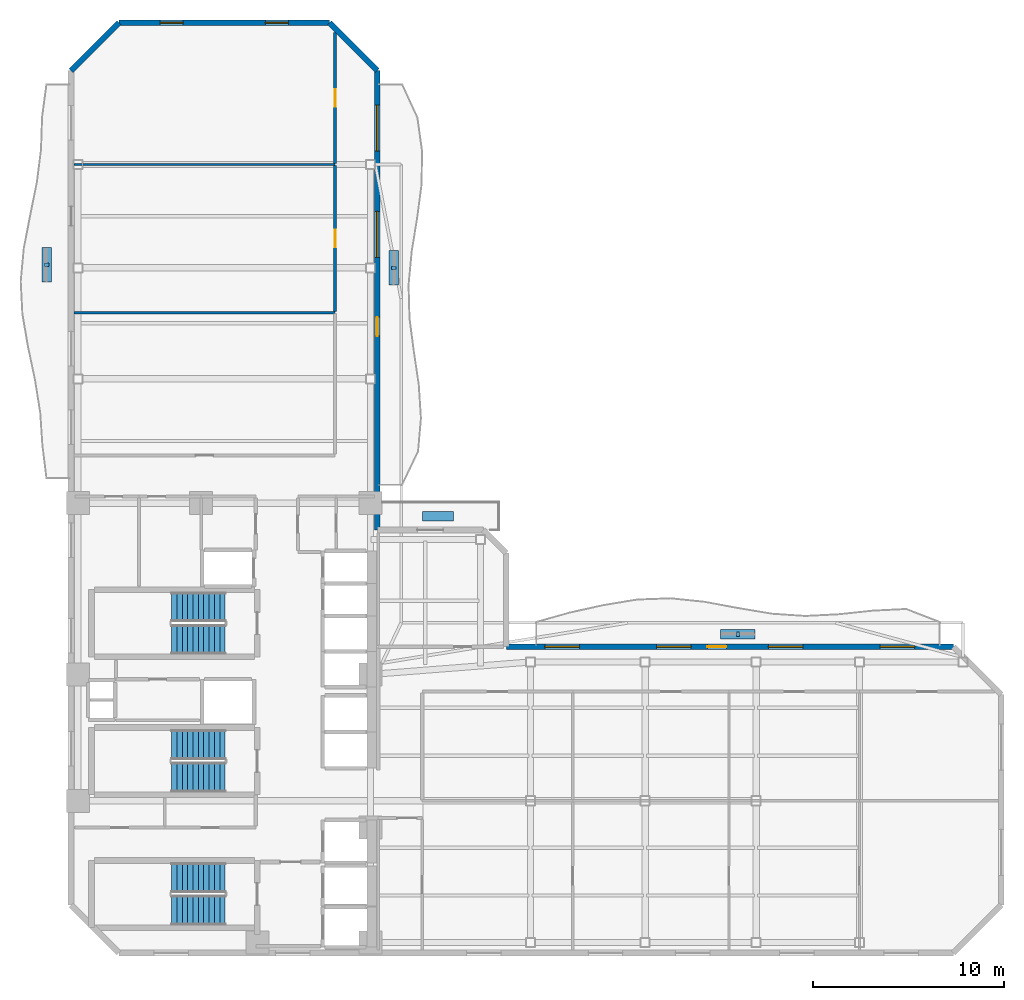
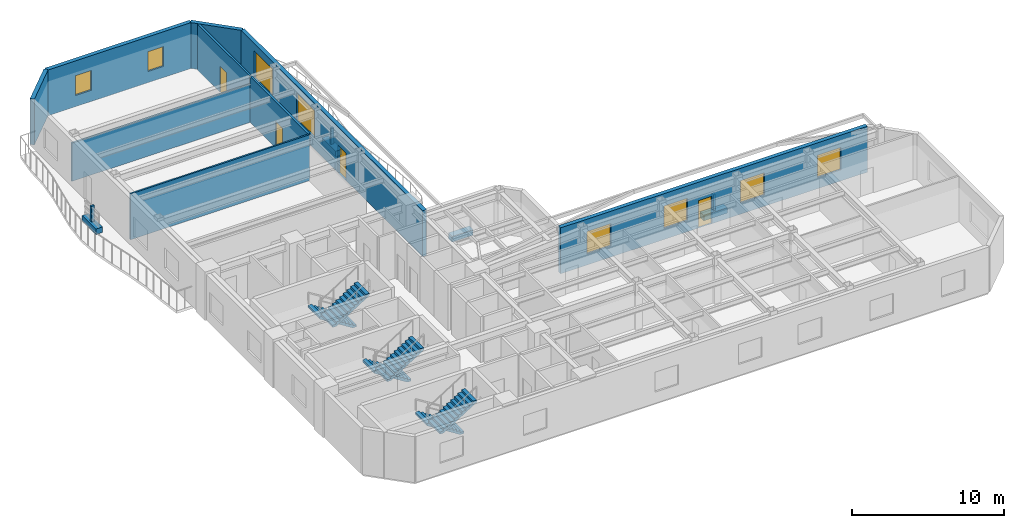
# One storey, part 6 of 10: 9 walls, 8 windows, 7 discrete accessories, 6 stair flights, 4 doors, 12 openings, 3 elements without a shape of their own.
"""IFC4 building model written with IfcOpenShell, lengths in metres."""

from ifc_helpers import new_model, si_unit, direction, frame, frame_2d, origin, origin_2d, place, context, subcontext, project, spatial, polyline, rectangle, outline, extrude, material, layer, layer_set, type_object, element, fill, aggregate, save


model = new_model("IFC4")

# Units and contexts
model_context = context("Model", 3, precision=1e-05, world=origin(), true_north=direction((0.0, 1.0)))
body_context = subcontext(model_context, "Body", "Model", "MODEL_VIEW")
ifc_project = project(units=[si_unit("LENGTHUNIT", "METRE"), si_unit("AREAUNIT", "SQUARE_METRE"), si_unit("VOLUMEUNIT", "CUBIC_METRE"), si_unit("PLANEANGLEUNIT", "RADIAN"), si_unit("MASSUNIT", "GRAM", prefix="KILO")], contexts=[model_context])

# Site, building, storey
site_placement = place(None, origin())
site = spatial("IfcSite", under=ifc_project, at=site_placement, CompositionType="ELEMENT")
building_placement = place(site_placement, origin())
building = spatial("IfcBuilding", under=site, at=building_placement, Name="Mawjaban Terraces University", CompositionType="ELEMENT")
storey_placement = place(building_placement, frame((0.0, 0.0, 158.0)))
storey = spatial("IfcBuildingStorey", under=building, at=storey_placement, Name="L38", CompositionType="ELEMENT", Elevation=158.0)

# Wall, opening, door
ifc_material_1 = material(Name="Fire-rated gypsum board on steel stud", Category="steel")
ifc_layer_1 = layer(ifc_material_1, 0.159912109375)
ifc_layer_set_1 = layer_set([ifc_layer_1], Name="Fire-rated gypsum board on steel stud")
wall_type_1 = type_object("IfcWallType", Name="CorridorPartition_160", PredefinedType="PARTITIONING", material=ifc_layer_set_1)
wall_1_placement = place(storey_placement, frame((35.800048828125, 41.14306640625, 0.0), z_axis=(0.0, 0.0, 1.0), x_axis=(0.0, -1.0, 0.0)))
wall_1 = element("IfcWall", 1, at=wall_1_placement, inside=storey, type_object=wall_type_1, Name="L38 Inner Terrace Gallery Corridor North Partition 35", PredefinedType="PARTITIONING", context=body_context, shape_type="SweptSolid", body=[
    extrude(rectangle(XDim=7.6259765625, YDim=0.159912109375, at=frame_2d((3.81298828125, 0.0))), origin(), (0.0, 0.0, 1.0), 3.68994140625),
])
opening_1_placement = place(wall_1_placement, frame((3.363037109375, 0.0, 0.0)))
opening_1 = element("IfcOpeningElement", 2, at=opening_1_placement, cuts=wall_1, Name="Opening ID-090", PredefinedType="OPENING", context=body_context, shape_type="SweptSolid", body=[
    extrude(rectangle(XDim=0.89990234375, YDim=2.10009765625, at=frame_2d((0.449951171875, 1.050048828125))), frame((0.0, 0.08984375, 0.0), z_axis=(0.0, -1.0, 0.0), x_axis=(1.0, 0.0, 0.0)), (0.0, 0.0, 1.0), 0.179931640625),
])
ifc_material_2 = material(Name="Powder-coated steel frame and solid acoustic timber leaf", Category="steel")
door_type_1 = type_object("IfcDoorType", Name="OfficeDoor_900x2100", OperationType="NOTDEFINED", PredefinedType="DOOR", material=ifc_material_2)
door_1_placement = place(opening_1_placement, origin())
door_1 = element("IfcDoor", 3, at=door_1_placement, inside=storey, type_object=door_type_1, Name="L38 Student Tea Pantry 11 Door", OperationType="SINGLE_SWING_LEFT", OverallHeight=2.10009765625, OverallWidth=0.89990234375, PredefinedType="DOOR", context=body_context, shape_type="SweptSolid", body=[
    extrude(rectangle(XDim=0.89990234375, YDim=2.10009765625, at=frame_2d((0.449951171875, 1.050048828125))), frame((0.0, 0.02490234375, 0.0), z_axis=(0.0, -1.0, 0.0), x_axis=(1.0, 0.0, 0.0)), (0.0, 0.0, 1.0), 0.050048828125),
])
fill(opening_1, door_1)

wall_2_placement = place(storey_placement, frame((35.800048828125, 48.094970703125, 0.0), z_axis=(0.0, 0.0, 1.0), x_axis=(0.0, -1.0, 0.0)))
wall_2 = element("IfcWall", 4, at=wall_2_placement, inside=storey, type_object=wall_type_1, Name="L38 Inner Terrace Gallery Corridor North Partition 36", PredefinedType="PARTITIONING", context=body_context, shape_type="SweptSolid", body=[
    extrude(rectangle(XDim=6.8369140625, YDim=0.159912109375, at=frame_2d((3.41845703125, 0.0))), origin(), (0.0, 0.0, 1.0), 3.68994140625),
])
opening_2_placement = place(wall_2_placement, frame((2.968017578125, 0.0, 0.0)))
opening_2 = element("IfcOpeningElement", 5, at=opening_2_placement, cuts=wall_2, Name="Opening ID-090", PredefinedType="OPENING", context=body_context, shape_type="SweptSolid", body=[
    extrude(rectangle(XDim=0.89990234375, YDim=2.10009765625, at=frame_2d((0.449951171875, 1.050048828125))), frame((0.0, 0.08984375, 0.0), z_axis=(0.0, -1.0, 0.0), x_axis=(1.0, 0.0, 0.0)), (0.0, 0.0, 1.0), 0.179931640625),
])
door_2_placement = place(opening_2_placement, origin())
door_2 = element("IfcDoor", 6, at=door_2_placement, inside=storey, type_object=door_type_1, Name="L38 Quiet Reading Room 12 Door", OperationType="SINGLE_SWING_RIGHT", OverallHeight=2.10009765625, OverallWidth=0.89990234375, PredefinedType="DOOR", context=body_context, shape_type="SweptSolid", body=[
    extrude(rectangle(XDim=0.89990234375, YDim=2.10009765625, at=frame_2d((0.449951171875, 1.050048828125))), frame((0.0, 0.02490234375, 0.0), z_axis=(0.0, -1.0, 0.0), x_axis=(1.0, 0.0, 0.0)), (0.0, 0.0, 1.0), 0.050048828125),
])
fill(opening_2, door_2)

# Wall, openings, door, windows
ifc_material_3 = material(Name="Insulated terracotta rainscreen on concrete backup C40/50", Category="masonry")
ifc_layer_2 = layer(ifc_material_3, 0.300048828125)
ifc_layer_set_2 = layer_set([ifc_layer_2], Name="Insulated terracotta rainscreen on concrete backup C40/50")
wall_type_2 = type_object("IfcWallType", Name="ExtTerracottaWall_300", PredefinedType="SOLIDWALL", material=ifc_layer_set_2)
wall_3_placement = place(storey_placement, frame((68.10009765625, 16.0, 0.0), z_axis=(0.0, 0.0, 1.0), x_axis=(-1.0, 0.0, 0.0)))
wall_3 = element("IfcWall", 7, at=wall_3_placement, inside=storey, type_object=wall_type_2, Name="L38 Exterior Terracotta Wall 5", PredefinedType="SOLIDWALL", context=body_context, shape_type="SweptSolid", body=[
    extrude(rectangle(XDim=23.359130859375, YDim=0.300048828125, at=frame_2d((11.6796875, 0.0))), origin(), (0.0, 0.0, 1.0), 3.68994140625),
])
opening_3_placement = place(wall_3_placement, frame((11.85302734375, 0.0, 0.0)))
opening_3 = element("IfcOpeningElement", 8, at=opening_3_placement, cuts=wall_3, Name="Opening BD-100", PredefinedType="OPENING", context=body_context, shape_type="SweptSolid", body=[
    extrude(rectangle(XDim=1.0, YDim=2.199951171875, at=frame_2d((0.5, 1.10009765625))), frame((0.0, 0.159912109375, 0.0), z_axis=(0.0, -1.0, 0.0), x_axis=(1.0, 0.0, 0.0)), (0.0, 0.0, 1.0), 0.320068359375),
])
opening_4_placement = place(wall_3_placement, frame((2.02001953125, 0.0, 0.89990234375)))
opening_4 = element("IfcOpeningElement", 9, at=opening_4_placement, cuts=wall_3, Name="Opening W-07", PredefinedType="OPENING", context=body_context, shape_type="SweptSolid", body=[
    extrude(rectangle(XDim=1.800048828125, YDim=1.800048828125, at=frame_2d((0.89990234375, 0.89990234375))), frame((0.0, 0.159912109375, 0.0), z_axis=(0.0, -1.0, 0.0), x_axis=(1.0, 0.0, 0.0)), (0.0, 0.0, 1.0), 0.320068359375),
])
opening_5_placement = place(wall_3_placement, frame((7.860107421875, 0.0, 0.89990234375)))
opening_5 = element("IfcOpeningElement", 10, at=opening_5_placement, cuts=wall_3, Name="Opening W-07", PredefinedType="OPENING", context=body_context, shape_type="SweptSolid", body=[
    extrude(rectangle(XDim=1.800048828125, YDim=1.800048828125, at=frame_2d((0.89990234375, 0.89990234375))), frame((0.0, 0.159912109375, 0.0), z_axis=(0.0, -1.0, 0.0), x_axis=(1.0, 0.0, 0.0)), (0.0, 0.0, 1.0), 0.320068359375),
])
opening_6_placement = place(wall_3_placement, frame((13.698974609375, 0.0, 0.89990234375)))
opening_6 = element("IfcOpeningElement", 11, at=opening_6_placement, cuts=wall_3, Name="Opening W-07", PredefinedType="OPENING", context=body_context, shape_type="SweptSolid", body=[
    extrude(rectangle(XDim=1.800048828125, YDim=1.800048828125, at=frame_2d((0.89990234375, 0.89990234375))), frame((0.0, 0.159912109375, 0.0), z_axis=(0.0, -1.0, 0.0), x_axis=(1.0, 0.0, 0.0)), (0.0, 0.0, 1.0), 0.320068359375),
])
opening_7_placement = place(wall_3_placement, frame((19.5390625, 0.0, 0.89990234375)))
opening_7 = element("IfcOpeningElement", 12, at=opening_7_placement, cuts=wall_3, Name="Opening W-07", PredefinedType="OPENING", context=body_context, shape_type="SweptSolid", body=[
    extrude(rectangle(XDim=1.800048828125, YDim=1.800048828125, at=frame_2d((0.89990234375, 0.89990234375))), frame((0.0, 0.159912109375, 0.0), z_axis=(0.0, -1.0, 0.0), x_axis=(1.0, 0.0, 0.0)), (0.0, 0.0, 1.0), 0.320068359375),
])
ifc_material_4 = material(Name="Thermally broken anodised aluminium and laminated safety glass", Category="aluminium")
door_type_2 = type_object("IfcDoorType", Name="BalconyGlazedDoor_1000x2200", OperationType="NOTDEFINED", PredefinedType="DOOR", material=ifc_material_4)
door_3_placement = place(opening_3_placement, origin())
door_3 = element("IfcDoor", 13, at=door_3_placement, inside=storey, type_object=door_type_2, Name="L38 Balcony Access Door inner_north", OperationType="SINGLE_SWING_LEFT", OverallHeight=2.199951171875, OverallWidth=1.0, PredefinedType="DOOR", context=body_context, shape_type="SweptSolid", body=[
    extrude(rectangle(XDim=1.0, YDim=2.199951171875, at=frame_2d((0.5, 1.10009765625))), frame((0.0, 0.02490234375, 0.0), z_axis=(0.0, -1.0, 0.0), x_axis=(1.0, 0.0, 0.0)), (0.0, 0.0, 1.0), 0.050048828125),
])
fill(opening_3, door_3)
ifc_material_5 = material(Name="Low-E solar-control double glazing in thermally broken aluminium frame", Category="aluminium")
window_type_1 = type_object("IfcWindowType", Name="Win_1800x1800", PartitioningType="SINGLE_PANEL", PredefinedType="WINDOW", material=ifc_material_5)
window_1_placement = place(opening_4_placement, origin())
window_1 = element("IfcWindow", 14, at=window_1_placement, inside=storey, type_object=window_type_1, Name="L38 Facade Window 5.1", OverallHeight=1.800048828125, OverallWidth=1.800048828125, PartitioningType="SINGLE_PANEL", PredefinedType="WINDOW", context=body_context, shape_type="SweptSolid", body=[
    extrude(rectangle(XDim=1.800048828125, YDim=1.800048828125, at=frame_2d((0.89990234375, 0.89990234375))), frame((0.0, 0.030029296875, 0.0), z_axis=(0.0, -1.0, 0.0), x_axis=(1.0, 0.0, 0.0)), (0.0, 0.0, 1.0), 0.06005859375),
])
fill(opening_4, window_1)
window_2_placement = place(opening_5_placement, origin())
window_2 = element("IfcWindow", 15, at=window_2_placement, inside=storey, type_object=window_type_1, Name="L38 Facade Window 5.2", OverallHeight=1.800048828125, OverallWidth=1.800048828125, PartitioningType="SINGLE_PANEL", PredefinedType="WINDOW", context=body_context, shape_type="SweptSolid", body=[
    extrude(rectangle(XDim=1.800048828125, YDim=1.800048828125, at=frame_2d((0.89990234375, 0.89990234375))), frame((0.0, 0.030029296875, 0.0), z_axis=(0.0, -1.0, 0.0), x_axis=(1.0, 0.0, 0.0)), (0.0, 0.0, 1.0), 0.06005859375),
])
fill(opening_5, window_2)
window_3_placement = place(opening_6_placement, origin())
window_3 = element("IfcWindow", 16, at=window_3_placement, inside=storey, type_object=window_type_1, Name="L38 Facade Window 5.3", OverallHeight=1.800048828125, OverallWidth=1.800048828125, PartitioningType="SINGLE_PANEL", PredefinedType="WINDOW", context=body_context, shape_type="SweptSolid", body=[
    extrude(rectangle(XDim=1.800048828125, YDim=1.800048828125, at=frame_2d((0.89990234375, 0.89990234375))), frame((0.0, 0.030029296875, 0.0), z_axis=(0.0, -1.0, 0.0), x_axis=(1.0, 0.0, 0.0)), (0.0, 0.0, 1.0), 0.06005859375),
])
fill(opening_6, window_3)
window_4_placement = place(opening_7_placement, origin())
window_4 = element("IfcWindow", 17, at=window_4_placement, inside=storey, type_object=window_type_1, Name="L38 Facade Window 5.4", OverallHeight=1.800048828125, OverallWidth=1.800048828125, PartitioningType="SINGLE_PANEL", PredefinedType="WINDOW", context=body_context, shape_type="SweptSolid", body=[
    extrude(rectangle(XDim=1.800048828125, YDim=1.800048828125, at=frame_2d((0.89990234375, 0.89990234375))), frame((0.0, 0.030029296875, 0.0), z_axis=(0.0, -1.0, 0.0), x_axis=(1.0, 0.0, 0.0)), (0.0, 0.0, 1.0), 0.06005859375),
])
fill(opening_7, window_4)

wall_4_placement = place(storey_placement, frame((38.0, 22.10009765625, 0.0), z_axis=(0.0, 0.0, 1.0), x_axis=(0.0, 1.0, 0.0)))
wall_4 = element("IfcWall", 18, at=wall_4_placement, inside=storey, type_object=wall_type_2, Name="L38 Exterior Terracotta Wall 9", PredefinedType="SOLIDWALL", context=body_context, shape_type="SweptSolid", body=[
    extrude(rectangle(XDim=24.0, YDim=0.300048828125, at=frame_2d((12.0, 0.0))), origin(), (0.0, 0.0, 1.0), 3.68994140625),
])
opening_8_placement = place(wall_4_placement, frame((10.125, 0.0, 0.0)))
opening_8 = element("IfcOpeningElement", 19, at=opening_8_placement, cuts=wall_4, Name="Opening BD-100", PredefinedType="OPENING", context=body_context, shape_type="SweptSolid", body=[
    extrude(rectangle(XDim=1.0, YDim=2.199951171875, at=frame_2d((0.5, 1.10009765625))), frame((0.0, 0.159912109375, 0.0), z_axis=(0.0, -1.0, 0.0), x_axis=(1.0, 0.0, 0.0)), (0.0, 0.0, 1.0), 0.320068359375),
])
opening_9_placement = place(wall_4_placement, frame((14.25, 0.0, 0.89990234375)))
opening_9 = element("IfcOpeningElement", 20, at=opening_9_placement, cuts=wall_4, Name="Opening W-11", PredefinedType="OPENING", context=body_context, shape_type="SweptSolid", body=[
    extrude(rectangle(XDim=2.39990234375, YDim=2.199951171875, at=frame_2d((1.199951171875, 1.10009765625))), frame((0.0, 0.159912109375, 0.0), z_axis=(0.0, -1.0, 0.0), x_axis=(1.0, 0.0, 0.0)), (0.0, 0.0, 1.0), 0.320068359375),
])
opening_10_placement = place(wall_4_placement, frame((19.800048828125, 0.0, 0.89990234375)))
opening_10 = element("IfcOpeningElement", 21, at=opening_10_placement, cuts=wall_4, Name="Opening W-11", PredefinedType="OPENING", context=body_context, shape_type="SweptSolid", body=[
    extrude(rectangle(XDim=2.39990234375, YDim=2.199951171875, at=frame_2d((1.199951171875, 1.10009765625))), frame((0.0, 0.159912109375, 0.0), z_axis=(0.0, -1.0, 0.0), x_axis=(1.0, 0.0, 0.0)), (0.0, 0.0, 1.0), 0.320068359375),
])
door_4_placement = place(opening_8_placement, origin())
door_4 = element("IfcDoor", 22, at=door_4_placement, inside=storey, type_object=door_type_2, Name="L38 Balcony Access Door inner_east", OperationType="SINGLE_SWING_LEFT", OverallHeight=2.199951171875, OverallWidth=1.0, PredefinedType="DOOR", context=body_context, shape_type="SweptSolid", body=[
    extrude(rectangle(XDim=1.0, YDim=2.199951171875, at=frame_2d((0.5, 1.10009765625))), frame((0.0, 0.02490234375, 0.0), z_axis=(0.0, -1.0, 0.0), x_axis=(1.0, 0.0, 0.0)), (0.0, 0.0, 1.0), 0.050048828125),
])
fill(opening_8, door_4)
window_type_2 = type_object("IfcWindowType", Name="Win_2400x2200", PartitioningType="SINGLE_PANEL", PredefinedType="WINDOW", material=ifc_material_5)
window_5_placement = place(opening_9_placement, origin())
window_5 = element("IfcWindow", 23, at=window_5_placement, inside=storey, type_object=window_type_2, Name="L38 Facade Window 9.3", OverallHeight=2.199951171875, OverallWidth=2.39990234375, PartitioningType="SINGLE_PANEL", PredefinedType="WINDOW", context=body_context, shape_type="SweptSolid", body=[
    extrude(rectangle(XDim=2.39990234375, YDim=2.199951171875, at=frame_2d((1.199951171875, 1.10009765625))), frame((0.0, 0.030029296875, 0.0), z_axis=(0.0, -1.0, 0.0), x_axis=(1.0, 0.0, 0.0)), (0.0, 0.0, 1.0), 0.06005859375),
])
fill(opening_9, window_5)
window_6_placement = place(opening_10_placement, origin())
window_6 = element("IfcWindow", 24, at=window_6_placement, inside=storey, type_object=window_type_2, Name="L38 Facade Window 9.4", OverallHeight=2.199951171875, OverallWidth=2.39990234375, PartitioningType="SINGLE_PANEL", PredefinedType="WINDOW", context=body_context, shape_type="SweptSolid", body=[
    extrude(rectangle(XDim=2.39990234375, YDim=2.199951171875, at=frame_2d((1.199951171875, 1.10009765625))), frame((0.0, 0.030029296875, 0.0), z_axis=(0.0, -1.0, 0.0), x_axis=(1.0, 0.0, 0.0)), (0.0, 0.0, 1.0), 0.06005859375),
])
fill(opening_10, window_6)

# Wall
wall_5_placement = place(storey_placement, frame((38.0, 46.10009765625, 0.0), z_axis=(0.0, 0.0, 1.0), x_axis=(-0.707106781187, 0.707106781187, 0.0)))
element("IfcWall", 25, at=wall_5_placement, inside=storey, type_object=wall_type_2, Name="L38 Exterior Terracotta Wall 10", PredefinedType="SOLIDWALL", context=body_context, shape_type="SweptSolid", body=[
    extrude(rectangle(XDim=3.53564453125, YDim=0.300048828125, at=frame_2d((1.767822265625, 0.0))), origin(), (0.0, 0.0, 1.0), 3.68994140625),
])

# Wall, openings, windows
wall_6_placement = place(storey_placement, frame((35.5, 48.60009765625, 0.0), z_axis=(0.0, 0.0, 1.0), x_axis=(-1.0, 0.0, 0.0)))
wall_6 = element("IfcWall", 26, at=wall_6_placement, inside=storey, type_object=wall_type_2, Name="L38 Exterior Terracotta Wall 11", PredefinedType="SOLIDWALL", context=body_context, shape_type="SweptSolid", body=[
    extrude(rectangle(XDim=11.0, YDim=0.300048828125, at=frame_2d((5.5, 0.0))), origin(), (0.0, 0.0, 1.0), 3.68994140625),
])
opening_11_placement = place(wall_6_placement, frame((2.14990234375, 0.0, 0.89990234375)))
opening_11 = element("IfcOpeningElement", 27, at=opening_11_placement, cuts=wall_6, Name="Opening W-01", PredefinedType="OPENING", context=body_context, shape_type="SweptSolid", body=[
    extrude(rectangle(XDim=1.199951171875, YDim=1.60009765625, at=frame_2d((0.60009765625, 0.800048828125))), frame((0.0, 0.159912109375, 0.0), z_axis=(0.0, -1.0, 0.0), x_axis=(1.0, 0.0, 0.0)), (0.0, 0.0, 1.0), 0.320068359375),
])
opening_12_placement = place(wall_6_placement, frame((7.64990234375, 0.0, 0.89990234375)))
opening_12 = element("IfcOpeningElement", 28, at=opening_12_placement, cuts=wall_6, Name="Opening W-01", PredefinedType="OPENING", context=body_context, shape_type="SweptSolid", body=[
    extrude(rectangle(XDim=1.199951171875, YDim=1.60009765625, at=frame_2d((0.60009765625, 0.800048828125))), frame((0.0, 0.159912109375, 0.0), z_axis=(0.0, -1.0, 0.0), x_axis=(1.0, 0.0, 0.0)), (0.0, 0.0, 1.0), 0.320068359375),
])
window_type_3 = type_object("IfcWindowType", Name="Win_1200x1600", PartitioningType="SINGLE_PANEL", PredefinedType="WINDOW", material=ifc_material_5)
window_7_placement = place(opening_11_placement, origin())
window_7 = element("IfcWindow", 29, at=window_7_placement, inside=storey, type_object=window_type_3, Name="L38 Facade Window 11.1", OverallHeight=1.60009765625, OverallWidth=1.199951171875, PartitioningType="SINGLE_PANEL", PredefinedType="WINDOW", context=body_context, shape_type="SweptSolid", body=[
    extrude(rectangle(XDim=1.199951171875, YDim=1.60009765625, at=frame_2d((0.60009765625, 0.800048828125))), frame((0.0, 0.030029296875, 0.0), z_axis=(0.0, -1.0, 0.0), x_axis=(1.0, 0.0, 0.0)), (0.0, 0.0, 1.0), 0.06005859375),
])
fill(opening_11, window_7)
window_8_placement = place(opening_12_placement, origin())
window_8 = element("IfcWindow", 30, at=window_8_placement, inside=storey, type_object=window_type_3, Name="L38 Facade Window 11.2", OverallHeight=1.60009765625, OverallWidth=1.199951171875, PartitioningType="SINGLE_PANEL", PredefinedType="WINDOW", context=body_context, shape_type="SweptSolid", body=[
    extrude(rectangle(XDim=1.199951171875, YDim=1.60009765625, at=frame_2d((0.60009765625, 0.800048828125))), frame((0.0, 0.030029296875, 0.0), z_axis=(0.0, -1.0, 0.0), x_axis=(1.0, 0.0, 0.0)), (0.0, 0.0, 1.0), 0.06005859375),
])
fill(opening_12, window_8)

# Walls
wall_7_placement = place(storey_placement, frame((24.5, 48.60009765625, 0.0), z_axis=(0.0, 0.0, 1.0), x_axis=(-0.707106781187, -0.707106781187, 0.0)))
element("IfcWall", 31, at=wall_7_placement, inside=storey, type_object=wall_type_2, Name="L38 Exterior Terracotta Wall 12", PredefinedType="SOLIDWALL", context=body_context, shape_type="SweptSolid", body=[
    extrude(rectangle(XDim=3.53564453125, YDim=0.300048828125, at=frame_2d((1.767822265625, 0.0))), origin(), (0.0, 0.0, 1.0), 3.68994140625),
])
ifc_material_6 = material(Name="Gypsum plasterboard on steel stud", Category="steel")
ifc_layer_3 = layer(ifc_material_6, 0.125)
ifc_layer_set_3 = layer_set([ifc_layer_3], Name="Gypsum plasterboard on steel stud")
wall_type_3 = type_object("IfcWallType", Name="OfficePartition_125", PredefinedType="PARTITIONING", material=ifc_layer_set_3)
wall_8_placement = place(storey_placement, frame((35.800048828125, 33.4599609375, 0.0), z_axis=(0.0, 0.0, 1.0), x_axis=(-1.0, 0.0, 0.0)))
element("IfcWall", 32, at=wall_8_placement, inside=storey, type_object=wall_type_3, Name="L38 Student Tea Pantry 10 Partition 12", PredefinedType="PARTITIONING", context=body_context, shape_type="SweptSolid", body=[
    extrude(rectangle(XDim=13.655029296875, YDim=0.125, at=frame_2d((6.82763671875, 0.0))), origin(), (0.0, 0.0, 1.0), 3.68994140625),
])
wall_9_placement = place(storey_placement, frame((35.800048828125, 41.199951171875, 0.0), z_axis=(0.0, 0.0, 1.0), x_axis=(-1.0, 0.0, 0.0)))
element("IfcWall", 33, at=wall_9_placement, inside=storey, type_object=wall_type_3, Name="L38 Student Tea Pantry 11 Partition 13", PredefinedType="PARTITIONING", context=body_context, shape_type="SweptSolid", body=[
    extrude(rectangle(XDim=13.655029296875, YDim=0.125, at=frame_2d((6.82763671875, 0.0))), origin(), (0.0, 0.0, 1.0), 3.073974609375),
])

# Stair, stair flights
ifc_material_7 = material(Name="Concrete C40/50", Category="concrete")
stair_type = type_object("IfcStairType", Name="Stair_Core1550_H39", PredefinedType="HALF_TURN_STAIR", material=ifc_material_7)
stair_1_placement = place(storey_placement, origin())
stair_1 = element("IfcStair", 34, at=stair_1_placement, inside=storey, type_object=stair_type, Name="L38 Core Exit Stair 1", PredefinedType="HALF_TURN_STAIR")
stair_flight_type = type_object("IfcStairFlightType", Name="Flight_Core1550_H39", PredefinedType="STRAIGHT", material=ifc_material_7)
stair_flight_1_placement = place(storey_placement, frame((30.050048828125, 3.925048828125, 0.0), z_axis=(0.0, 0.0, 1.0), x_axis=(-1.0, 0.0, 0.0)))
stair_flight_1 = element("IfcStairFlight", 35, at=stair_flight_1_placement, type_object=stair_flight_type, Name="ST-1 flight 1", NumberOfRisers=11, NumberOfTreads=10, PredefinedType="STRAIGHT", RiserHeight=0.177272727, TreadLength=0.28, context=body_context, shape_type="SweptSolid", body=[
    extrude(outline(polyline([(0.0, 0.0), (0.0, 0.17724609375), (0.280029296875, 0.17724609375), (0.280029296875, 0.3544921875), (0.56005859375, 0.3544921875), (0.56005859375, 0.53173828125), (0.840087890625, 0.53173828125), (0.840087890625, 0.708984375), (1.1201171875, 0.708984375), (1.1201171875, 0.886474609375), (1.39990234375, 0.886474609375), (1.39990234375, 1.063720703125), (1.679931640625, 1.063720703125), (1.679931640625, 1.240966796875), (1.9599609375, 1.240966796875), (1.9599609375, 1.418212890625), (2.239990234375, 1.418212890625), (2.239990234375, 1.595458984375), (2.52001953125, 1.595458984375), (2.52001953125, 1.772705078125), (2.800048828125, 1.772705078125), (2.800048828125, 1.949951171875), (2.800048828125, 1.59521484375), (0.2802734375, 0.0), (0.0, 0.0)])), frame((0.0, 0.77490234375, 0.0), z_axis=(0.0, -1.0, 0.0), x_axis=(1.0, 0.0, 0.0)), (0.0, 0.0, 1.0), 1.550048828125),
])
stair_flight_2_placement = place(storey_placement, frame((27.25, 2.22509765625, 1.949951171875), z_axis=(0.0, 0.0, 1.0), x_axis=(1.0, 0.0, 0.0)))
stair_flight_2 = element("IfcStairFlight", 36, at=stair_flight_2_placement, type_object=stair_flight_type, Name="ST-1 flight 2", NumberOfRisers=11, NumberOfTreads=10, PredefinedType="STRAIGHT", RiserHeight=0.177272727, TreadLength=0.28, context=body_context, shape_type="SweptSolid", body=[
    extrude(outline(polyline([(0.0, 0.0), (0.0, 0.17724609375), (0.280029296875, 0.17724609375), (0.280029296875, 0.3544921875), (0.56005859375, 0.3544921875), (0.56005859375, 0.53173828125), (0.840087890625, 0.53173828125), (0.840087890625, 0.708984375), (1.1201171875, 0.708984375), (1.1201171875, 0.886474609375), (1.39990234375, 0.886474609375), (1.39990234375, 1.063720703125), (1.679931640625, 1.063720703125), (1.679931640625, 1.240966796875), (1.9599609375, 1.240966796875), (1.9599609375, 1.418212890625), (2.239990234375, 1.418212890625), (2.239990234375, 1.595458984375), (2.52001953125, 1.595458984375), (2.52001953125, 1.772705078125), (2.800048828125, 1.772705078125), (2.800048828125, 1.949951171875), (2.800048828125, 1.59521484375), (0.2802734375, 0.0), (0.0, 0.0)])), frame((0.0, 0.77490234375, 0.0), z_axis=(0.0, -1.0, 0.0), x_axis=(1.0, 0.0, 0.0)), (0.0, 0.0, 1.0), 1.550048828125),
])
aggregate(stair_1, [stair_flight_1, stair_flight_2])

stair_2_placement = place(storey_placement, origin())
stair_2 = element("IfcStair", 37, at=stair_2_placement, inside=storey, type_object=stair_type, Name="L38 Core Exit Stair 2", PredefinedType="HALF_TURN_STAIR")
stair_flight_3_placement = place(storey_placement, frame((30.050048828125, 18.074951171875, 0.0), z_axis=(0.0, 0.0, 1.0), x_axis=(-1.0, 0.0, 0.0)))
stair_flight_3 = element("IfcStairFlight", 38, at=stair_flight_3_placement, type_object=stair_flight_type, Name="ST-2 flight 1", NumberOfRisers=11, NumberOfTreads=10, PredefinedType="STRAIGHT", RiserHeight=0.177272727, TreadLength=0.28, context=body_context, shape_type="SweptSolid", body=[
    extrude(outline(polyline([(0.0, 0.0), (0.0, 0.17724609375), (0.280029296875, 0.17724609375), (0.280029296875, 0.3544921875), (0.56005859375, 0.3544921875), (0.56005859375, 0.53173828125), (0.840087890625, 0.53173828125), (0.840087890625, 0.708984375), (1.1201171875, 0.708984375), (1.1201171875, 0.886474609375), (1.39990234375, 0.886474609375), (1.39990234375, 1.063720703125), (1.679931640625, 1.063720703125), (1.679931640625, 1.240966796875), (1.9599609375, 1.240966796875), (1.9599609375, 1.418212890625), (2.239990234375, 1.418212890625), (2.239990234375, 1.595458984375), (2.52001953125, 1.595458984375), (2.52001953125, 1.772705078125), (2.800048828125, 1.772705078125), (2.800048828125, 1.949951171875), (2.800048828125, 1.59521484375), (0.2802734375, 0.0), (0.0, 0.0)])), frame((0.0, 0.77490234375, 0.0), z_axis=(0.0, -1.0, 0.0), x_axis=(1.0, 0.0, 0.0)), (0.0, 0.0, 1.0), 1.550048828125),
])
stair_flight_4_placement = place(storey_placement, frame((27.25, 16.375, 1.949951171875), z_axis=(0.0, 0.0, 1.0), x_axis=(1.0, 0.0, 0.0)))
stair_flight_4 = element("IfcStairFlight", 39, at=stair_flight_4_placement, type_object=stair_flight_type, Name="ST-2 flight 2", NumberOfRisers=11, NumberOfTreads=10, PredefinedType="STRAIGHT", RiserHeight=0.177272727, TreadLength=0.28, context=body_context, shape_type="SweptSolid", body=[
    extrude(outline(polyline([(0.0, 0.0), (0.0, 0.17724609375), (0.280029296875, 0.17724609375), (0.280029296875, 0.3544921875), (0.56005859375, 0.3544921875), (0.56005859375, 0.53173828125), (0.840087890625, 0.53173828125), (0.840087890625, 0.708984375), (1.1201171875, 0.708984375), (1.1201171875, 0.886474609375), (1.39990234375, 0.886474609375), (1.39990234375, 1.063720703125), (1.679931640625, 1.063720703125), (1.679931640625, 1.240966796875), (1.9599609375, 1.240966796875), (1.9599609375, 1.418212890625), (2.239990234375, 1.418212890625), (2.239990234375, 1.595458984375), (2.52001953125, 1.595458984375), (2.52001953125, 1.772705078125), (2.800048828125, 1.772705078125), (2.800048828125, 1.949951171875), (2.800048828125, 1.59521484375), (0.2802734375, 0.0), (0.0, 0.0)])), frame((0.0, 0.77490234375, 0.0), z_axis=(0.0, -1.0, 0.0), x_axis=(1.0, 0.0, 0.0)), (0.0, 0.0, 1.0), 1.550048828125),
])
aggregate(stair_2, [stair_flight_3, stair_flight_4])

stair_3_placement = place(storey_placement, origin())
stair_3 = element("IfcStair", 40, at=stair_3_placement, inside=storey, type_object=stair_type, Name="L38 Core Exit Stair 3", PredefinedType="HALF_TURN_STAIR")
stair_flight_5_placement = place(storey_placement, frame((30.050048828125, 10.875, 0.0), z_axis=(0.0, 0.0, 1.0), x_axis=(-1.0, 0.0, 0.0)))
stair_flight_5 = element("IfcStairFlight", 41, at=stair_flight_5_placement, type_object=stair_flight_type, Name="ST-3 flight 1", NumberOfRisers=11, NumberOfTreads=10, PredefinedType="STRAIGHT", RiserHeight=0.177272727, TreadLength=0.28, context=body_context, shape_type="SweptSolid", body=[
    extrude(outline(polyline([(0.0, 0.0), (0.0, 0.17724609375), (0.280029296875, 0.17724609375), (0.280029296875, 0.3544921875), (0.56005859375, 0.3544921875), (0.56005859375, 0.53173828125), (0.840087890625, 0.53173828125), (0.840087890625, 0.708984375), (1.1201171875, 0.708984375), (1.1201171875, 0.886474609375), (1.39990234375, 0.886474609375), (1.39990234375, 1.063720703125), (1.679931640625, 1.063720703125), (1.679931640625, 1.240966796875), (1.9599609375, 1.240966796875), (1.9599609375, 1.418212890625), (2.239990234375, 1.418212890625), (2.239990234375, 1.595458984375), (2.52001953125, 1.595458984375), (2.52001953125, 1.772705078125), (2.800048828125, 1.772705078125), (2.800048828125, 1.949951171875), (2.800048828125, 1.59521484375), (0.2802734375, 0.0), (0.0, 0.0)])), frame((0.0, 0.77490234375, 0.0), z_axis=(0.0, -1.0, 0.0), x_axis=(1.0, 0.0, 0.0)), (0.0, 0.0, 1.0), 1.550048828125),
])
stair_flight_6_placement = place(storey_placement, frame((27.25, 9.175048828125, 1.949951171875), z_axis=(0.0, 0.0, 1.0), x_axis=(1.0, 0.0, 0.0)))
stair_flight_6 = element("IfcStairFlight", 42, at=stair_flight_6_placement, type_object=stair_flight_type, Name="ST-3 flight 2", NumberOfRisers=11, NumberOfTreads=10, PredefinedType="STRAIGHT", RiserHeight=0.177272727, TreadLength=0.28, context=body_context, shape_type="SweptSolid", body=[
    extrude(outline(polyline([(0.0, 0.0), (0.0, 0.17724609375), (0.280029296875, 0.17724609375), (0.280029296875, 0.3544921875), (0.56005859375, 0.3544921875), (0.56005859375, 0.53173828125), (0.840087890625, 0.53173828125), (0.840087890625, 0.708984375), (1.1201171875, 0.708984375), (1.1201171875, 0.886474609375), (1.39990234375, 0.886474609375), (1.39990234375, 1.063720703125), (1.679931640625, 1.063720703125), (1.679931640625, 1.240966796875), (1.9599609375, 1.240966796875), (1.9599609375, 1.418212890625), (2.239990234375, 1.418212890625), (2.239990234375, 1.595458984375), (2.52001953125, 1.595458984375), (2.52001953125, 1.772705078125), (2.800048828125, 1.772705078125), (2.800048828125, 1.949951171875), (2.800048828125, 1.59521484375), (0.2802734375, 0.0), (0.0, 0.0)])), frame((0.0, 0.77490234375, 0.0), z_axis=(0.0, -1.0, 0.0), x_axis=(1.0, 0.0, 0.0)), (0.0, 0.0, 1.0), 1.550048828125),
])
aggregate(stair_3, [stair_flight_5, stair_flight_6])

# Discrete accessories
ifc_material_8 = material(Name="Stainless steel 316L", Category="steel")
discrete_accessory_type_1 = type_object("IfcDiscreteAccessoryType", Name="FacadeScreenBracket_Steel", PredefinedType="BRACKET", material=ifc_material_8)
for number, where, z_axis, x_axis, name in (
    (43, (20.721923828125, 35.958984375, 0.419921875), (0.0, 0.0, 1.0), (0.0, 1.0, 0.0), "L38 Balcony Screen Support Bracket west"),
    (44, (56.846923828125, 16.64501953125, 0.419921875), (0.0, 0.0, 1.0), (1.0, 0.0, 0.0), "L38 Balcony Screen Support Bracket inner_north"),
    (45, (38.85888671875, 35.798095703125, 0.419921875), (0.0, 0.0, 1.0), (0.0, 1.0, 0.0), "L38 Balcony Screen Support Bracket inner_east"),
):
    element("IfcDiscreteAccessory", number, at=place(storey_placement, frame(where, z_axis=z_axis, x_axis=x_axis)), inside=storey, type_object=discrete_accessory_type_1, Name=name, PredefinedType="BRACKET", context=body_context, shape_type="SweptSolid", body=[
        extrude(rectangle(XDim=0.159912109375, YDim=0.239990234375, at=origin_2d()), origin(), (0.0, 0.0, 1.0), 1.300048828125),
    ])
ifc_material_9 = material(Name="Precast architectural terracotta planter with engineered planting soil", Category="masonry")
discrete_accessory_type_2 = type_object("IfcDiscreteAccessoryType", Name="IrrigatedPlanterTrough_450", PredefinedType="USERDEFINED", material=ifc_material_9)
for number, where, z_axis, x_axis, name in (
    (46, (20.721923828125, 35.958984375, -0.0048828125), (0.0, 0.0, 1.0), (0.0, 1.0, 0.0), "L38 Balcony Irrigated Planter west"),
    (47, (56.846923828125, 16.64501953125, -0.0048828125), (0.0, 0.0, 1.0), (1.0, 0.0, 0.0), "L38 Balcony Irrigated Planter inner_north"),
    (48, (38.85888671875, 35.798095703125, -0.0048828125), (0.0, 0.0, 1.0), (0.0, 1.0, 0.0), "L38 Balcony Irrigated Planter inner_east"),
):
    element("IfcDiscreteAccessory", number, at=place(storey_placement, frame(where, z_axis=z_axis, x_axis=x_axis)), inside=storey, type_object=discrete_accessory_type_2, Name=name, ObjectType="PLANTER", PredefinedType="USERDEFINED", context=body_context, shape_type="SweptSolid", body=[
        extrude(rectangle(XDim=1.800048828125, YDim=0.5, at=origin_2d()), origin(), (0.0, 0.0, 1.0), 0.449951171875),
    ])
discrete_accessory_placement = place(storey_placement, frame((41.1708984375, 22.824951171875, -0.0048828125), z_axis=(0.0, 0.0, 1.0), x_axis=(1.0, 0.0, 0.0)))
element("IfcDiscreteAccessory", 49, at=discrete_accessory_placement, inside=storey, type_object=discrete_accessory_type_2, Name="L38 Terrace Planter TER-L38-CLIMB", ObjectType="PLANTER", PredefinedType="USERDEFINED", context=body_context, shape_type="SweptSolid", body=[
    extrude(rectangle(XDim=1.60009765625, YDim=0.5, at=origin_2d()), origin(), (0.0, 0.0, 1.0), 0.449951171875),
])

save(model, "model.ifc")
